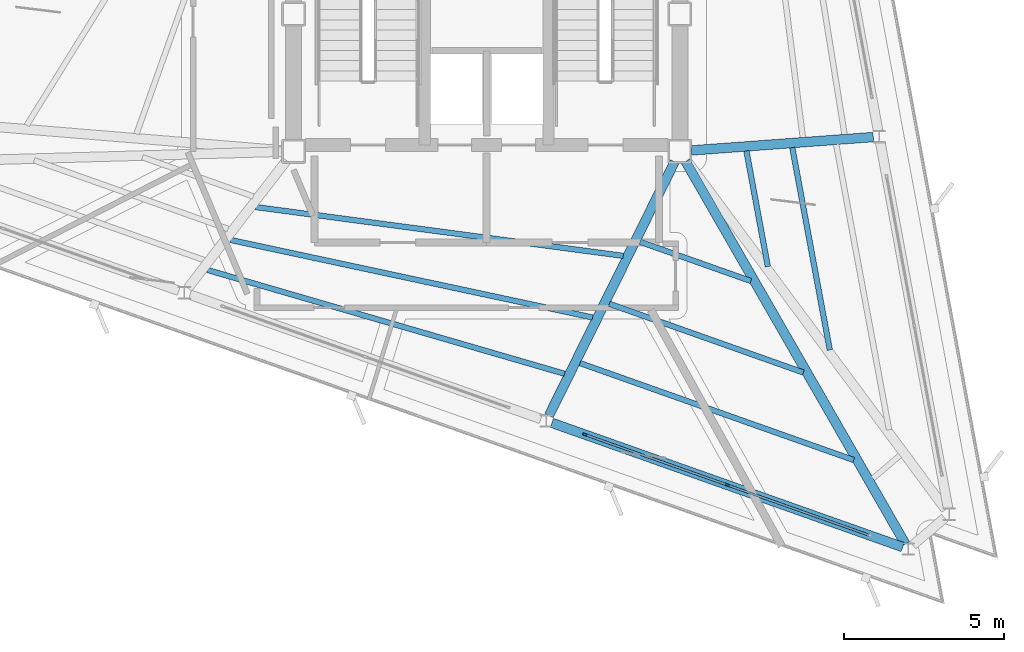
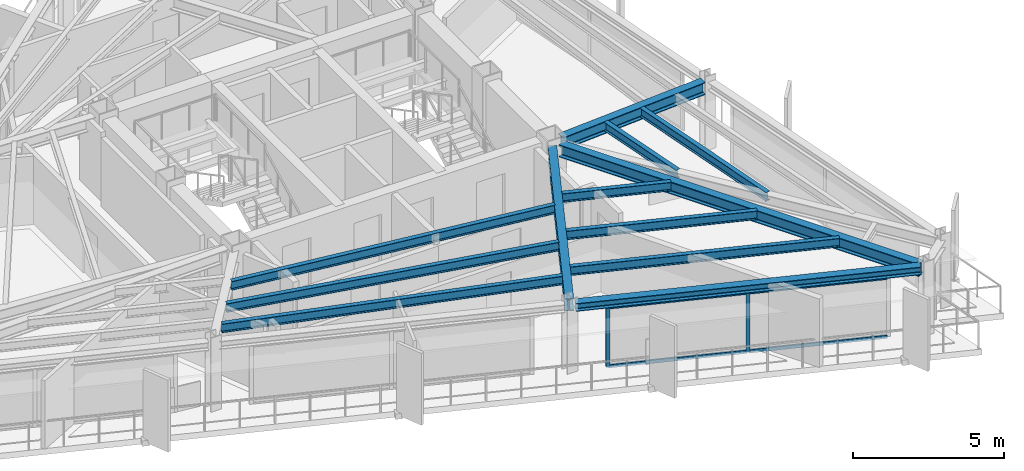
# One storey, part 3 of 14: 12 beams, 6 members, 1 element without a shape of its own.
"""IFC4 building model written with IfcOpenShell, lengths in metres."""

from ifc_helpers import new_model, si_unit, direction, frame, origin, origin_2d, place, context, subcontext, project, spatial, rectangle, i_section, extrude, material, layer, layer_set, material_profile, profile_set, type_object, element, aggregate, save


model = new_model("IFC4")

# Units and contexts
model_context = context("Model", 3, precision=1e-05, world=origin(), true_north=direction((0.0, 1.0)))
body_context = subcontext(model_context, "Body", "Model", "MODEL_VIEW")
ifc_project = project(units=[si_unit("LENGTHUNIT", "METRE"), si_unit("AREAUNIT", "SQUARE_METRE"), si_unit("VOLUMEUNIT", "CUBIC_METRE"), si_unit("PLANEANGLEUNIT", "RADIAN"), si_unit("MASSUNIT", "GRAM", prefix="KILO")], contexts=[model_context])

# Site, building, storey
site_placement = place(None, origin())
site = spatial("IfcSite", under=ifc_project, at=site_placement, CompositionType="ELEMENT")
building_placement = place(site_placement, origin())
building = spatial("IfcBuilding", under=site, at=building_placement, Name="Rocaltana Carrier Exchange", CompositionType="ELEMENT")
storey_placement = place(building_placement, frame((0.0, 0.0, 178.39990234375)))
storey = spatial("IfcBuildingStorey", under=building, at=storey_placement, Name="L56", CompositionType="ELEMENT", Elevation=178.39990234375)

# Curtain wall, members
ifc_material_1 = material(Name="Aluminium 6063-T6", Category="aluminium")
ifc_layer = layer(ifc_material_1, 0.135009765625)
ifc_layer_set = layer_set([ifc_layer], Name="Aluminium 6063-T6")
curtain_wall_type = type_object("IfcCurtainWallType", Name="Upper-Mid Acoustic Curtain Wall CW-04", PredefinedType="NOTDEFINED", material=ifc_layer_set)
curtain_wall_placement = place(storey_placement, origin())
curtain_wall = element("IfcCurtainWall", 1, at=curtain_wall_placement, inside=storey, type_object=curtain_wall_type, Name="L56 CW-04 Run CW-L56-F3S3", PredefinedType="NOTDEFINED")
ifc_material_2 = material(Name="Aluminium 6063-T6", Category="aluminium")
ifc_material_profile_1 = material_profile(ifc_material_2, rectangle(XDim=0.06494140625, YDim=0.135009765625, at=origin_2d()), Name="AL-65X135")
ifc_profile_set_1 = profile_set([ifc_material_profile_1], Name="Aluminium 6063-T6")
member_type_1 = type_object("IfcMemberType", Name="CW-04 Mullion AL-65X135", PredefinedType="MULLION", material=ifc_profile_set_1)
member_1_placement = place(storey_placement, frame((3.0771484375, -13.177001953125, 0.0), z_axis=(0.0, 0.0, 1.0), x_axis=(0.333798791936, 0.942644347833, 0.0)))
member_1 = element("IfcMember", 2, at=member_1_placement, type_object=member_type_1, Name="CW-04 mullion 1", PredefinedType="MULLION", context=body_context, shape_type="SweptSolid", body=[
    extrude(rectangle(XDim=0.06494140625, YDim=0.135009765625, at=origin_2d()), origin(), (0.0, 0.0, 1.0), 2.447998046875),
])
member_2_placement = place(storey_placement, frame((7.539794921875, -14.757080078125, 0.0), z_axis=(0.0, 0.0, 1.0), x_axis=(0.333798791936, 0.942644347833, 0.0)))
member_2 = element("IfcMember", 3, at=member_2_placement, type_object=member_type_1, Name="CW-04 mullion 2", PredefinedType="MULLION", context=body_context, shape_type="SweptSolid", body=[
    extrude(rectangle(XDim=0.06494140625, YDim=0.135009765625, at=origin_2d()), origin(), (0.0, 0.0, 1.0), 2.447998046875),
])
ifc_material_3 = material(Name="Aluminium 6063-T6", Category="aluminium")
ifc_material_profile_2 = material_profile(ifc_material_3, rectangle(XDim=0.06494140625, YDim=0.135009765625, at=origin_2d()), Name="AL-65X135")
ifc_profile_set_2 = profile_set([ifc_material_profile_2], Name="Aluminium 6063-T6")
member_type_2 = type_object("IfcMemberType", Name="CW-04 Transom AL-65X135", PredefinedType="USERDEFINED", material=ifc_profile_set_2)
member_3_placement = place(storey_placement, frame((3.107666015625, -13.187744140625, 0.03271484375), z_axis=(0.942642307572, -0.333804553558, 0.0), x_axis=(0.333804553558, 0.942642307572, 0.0)))
member_3 = element("IfcMember", 4, at=member_3_placement, type_object=member_type_2, Name="CW-04 transom 1.1", ObjectType="TRANSOM", PredefinedType="USERDEFINED", context=body_context, shape_type="SweptSolid", body=[
    extrude(rectangle(XDim=0.06494140625, YDim=0.135009765625, at=origin_2d()), origin(), (0.0, 0.0, 1.0), 4.669189453125),
])
member_4_placement = place(storey_placement, frame((3.107666015625, -13.187744140625, 2.41552734375), z_axis=(0.942642307572, -0.333804553558, 0.0), x_axis=(0.333804553558, 0.942642307572, 0.0)))
member_4 = element("IfcMember", 5, at=member_4_placement, type_object=member_type_2, Name="CW-04 transom 1.2", ObjectType="TRANSOM", PredefinedType="USERDEFINED", context=body_context, shape_type="SweptSolid", body=[
    extrude(rectangle(XDim=0.06494140625, YDim=0.135009765625, at=origin_2d()), origin(), (0.0, 0.0, 1.0), 4.669189453125),
])
member_5_placement = place(storey_placement, frame((7.5703125, -14.76806640625, 0.03271484375), z_axis=(0.942642307572, -0.333804553558, 0.0), x_axis=(0.333804553558, 0.942642307572, 0.0)))
member_5 = element("IfcMember", 6, at=member_5_placement, type_object=member_type_2, Name="CW-04 transom 2.1", ObjectType="TRANSOM", PredefinedType="USERDEFINED", context=body_context, shape_type="SweptSolid", body=[
    extrude(rectangle(XDim=0.06494140625, YDim=0.135009765625, at=origin_2d()), origin(), (0.0, 0.0, 1.0), 4.669189453125),
])
member_6_placement = place(storey_placement, frame((7.5703125, -14.76806640625, 2.41552734375), z_axis=(0.942642307572, -0.333804553558, 0.0), x_axis=(0.333804553558, 0.942642307572, 0.0)))
member_6 = element("IfcMember", 7, at=member_6_placement, type_object=member_type_2, Name="CW-04 transom 2.2", ObjectType="TRANSOM", PredefinedType="USERDEFINED", context=body_context, shape_type="SweptSolid", body=[
    extrude(rectangle(XDim=0.06494140625, YDim=0.135009765625, at=origin_2d()), origin(), (0.0, 0.0, 1.0), 4.669189453125),
])
aggregate(curtain_wall, [member_1, member_2, member_3, member_4, member_5, member_6])

# Beams
ifc_material_4 = material(Name="Steel S355", Category="steel")
ifc_material_profile_3 = material_profile(ifc_material_4, i_section(OverallWidth=0.172119140625, OverallDepth=0.35791015625, WebThickness=0.0078125, FlangeThickness=0.01318359375, FilletRadius=0.011962890625, at=origin_2d()), Name="W14X38")
ifc_profile_set_3 = profile_set([ifc_material_profile_3], Name="Steel S355")
beam_type_1 = type_object("IfcBeamType", Name="Floor Joist W14X38", PredefinedType="JOIST", material=ifc_profile_set_3)
beam_1_placement = place(storey_placement, frame((8.809814453125, -7.910888671875, 2.619140625), z_axis=(-0.182226934398, 0.98325649979, 0.0), x_axis=(-0.98325649979, -0.182226934398, 0.0)))
element("IfcBeam", 8, at=beam_1_placement, inside=storey, type_object=beam_type_1, Name="FJ-L56-01-1", PredefinedType="JOIST", context=body_context, shape_type="SweptSolid", body=[
    extrude(i_section(OverallWidth=0.172119140625, OverallDepth=0.35791015625, WebThickness=0.0078125, FlangeThickness=0.01318359375, FilletRadius=0.011962890625, at=origin_2d()), origin(), (0.0, 0.0, 1.0), 3.68310546875),
])
beam_2_placement = place(storey_placement, frame((10.751708984375, -10.5263671875, 2.619140625), z_axis=(-0.18226814906, 0.983248860583, 0.0), x_axis=(-0.983248860583, -0.18226814906, 0.0)))
element("IfcBeam", 9, at=beam_2_placement, inside=storey, type_object=beam_type_1, Name="FJ-L56-01-2", PredefinedType="JOIST", context=body_context, shape_type="SweptSolid", body=[
    extrude(i_section(OverallWidth=0.172119140625, OverallDepth=0.35791015625, WebThickness=0.0078125, FlangeThickness=0.01318359375, FilletRadius=0.011962890625, at=origin_2d()), origin(), (0.0, 0.0, 1.0), 6.450927734375),
])
beam_3_placement = place(storey_placement, frame((-7.242919921875, -6.04736328125, 2.619140625), z_axis=(0.991307721648, -0.131563676599, 0.0), x_axis=(0.131563676599, 0.991307721648, 0.0)))
element("IfcBeam", 10, at=beam_3_placement, inside=storey, type_object=beam_type_1, Name="FJ-L56-10-1", PredefinedType="JOIST", context=body_context, shape_type="SweptSolid", body=[
    extrude(i_section(OverallWidth=0.172119140625, OverallDepth=0.35791015625, WebThickness=0.0078125, FlangeThickness=0.01318359375, FilletRadius=0.011962890625, at=origin_2d()), origin(), (0.0, 0.0, 1.0), 11.620361328125),
])
beam_4_placement = place(storey_placement, frame((-8.03271484375, -7.077880859375, 2.619140625), z_axis=(0.977833801709, -0.209382559528, 0.0), x_axis=(0.209382559528, 0.977833801709, 0.0)))
element("IfcBeam", 11, at=beam_4_placement, inside=storey, type_object=beam_type_1, Name="FJ-L56-10-2", PredefinedType="JOIST", context=body_context, shape_type="SweptSolid", body=[
    extrude(i_section(OverallWidth=0.172119140625, OverallDepth=0.35791015625, WebThickness=0.0078125, FlangeThickness=0.01318359375, FilletRadius=0.011962890625, at=origin_2d()), origin(), (0.0, 0.0, 1.0), 11.6064453125),
])
beam_5_placement = place(storey_placement, frame((-8.75439453125, -8.018798828125, 2.619140625), z_axis=(0.960273483181, -0.279060634091, 0.0), x_axis=(0.279060634091, 0.960273483181, 0.0)))
element("IfcBeam", 12, at=beam_5_placement, inside=storey, type_object=beam_type_1, Name="FJ-L56-10-3", PredefinedType="JOIST", context=body_context, shape_type="SweptSolid", body=[
    extrude(i_section(OverallWidth=0.172119140625, OverallDepth=0.35791015625, WebThickness=0.0078125, FlangeThickness=0.01318359375, FilletRadius=0.011962890625, at=origin_2d()), origin(), (0.0, 0.0, 1.0), 11.658447265625),
])
beam_6_placement = place(storey_placement, frame((4.8056640625, -7.13623046875, 2.619140625), z_axis=(0.942660683234, -0.333752657344, 0.0), x_axis=(0.333752657344, 0.942660683234, 0.0)))
element("IfcBeam", 13, at=beam_6_placement, inside=storey, type_object=beam_type_1, Name="FJ-L56-11-1", PredefinedType="JOIST", context=body_context, shape_type="SweptSolid", body=[
    extrude(i_section(OverallWidth=0.172119140625, OverallDepth=0.35791015625, WebThickness=0.0078125, FlangeThickness=0.01318359375, FilletRadius=0.011962890625, at=origin_2d()), origin(), (0.0, 0.0, 1.0), 3.68310546875),
])
beam_7_placement = place(storey_placement, frame((3.843994140625, -9.079345703125, 2.619140625), z_axis=(0.942637646352, -0.333817716246, 0.0), x_axis=(0.333817716246, 0.942637646352, 0.0)))
element("IfcBeam", 14, at=beam_7_placement, inside=storey, type_object=beam_type_1, Name="FJ-L56-11-2", PredefinedType="JOIST", context=body_context, shape_type="SweptSolid", body=[
    extrude(i_section(OverallWidth=0.172119140625, OverallDepth=0.35791015625, WebThickness=0.0078125, FlangeThickness=0.01318359375, FilletRadius=0.011962890625, at=origin_2d()), origin(), (0.0, 0.0, 1.0), 6.45068359375),
])
beam_8_placement = place(storey_placement, frame((2.923828125, -10.93798828125, 2.619140625), z_axis=(0.942637076776, -0.333819324616, 0.0), x_axis=(0.333819324616, 0.942637076776, 0.0)))
element("IfcBeam", 15, at=beam_8_placement, inside=storey, type_object=beam_type_1, Name="FJ-L56-11-3", PredefinedType="JOIST", context=body_context, shape_type="SweptSolid", body=[
    extrude(i_section(OverallWidth=0.172119140625, OverallDepth=0.35791015625, WebThickness=0.0078125, FlangeThickness=0.01318359375, FilletRadius=0.011962890625, at=origin_2d()), origin(), (0.0, 0.0, 1.0), 9.09814453125),
])
ifc_material_5 = material(Name="Steel S355", Category="steel")
ifc_material_profile_4 = material_profile(ifc_material_5, i_section(OverallWidth=0.300048828125, OverallDepth=0.320068359375, WebThickness=0.011474609375, FlangeThickness=0.0205078125, FilletRadius=0.027099609375, at=origin_2d()), Name="HEB320")
ifc_profile_set_4 = profile_set([ifc_material_profile_4], Name="Steel S355")
beam_type_2 = type_object("IfcBeamType", Name="Spandrel Edge Beam HEB320", PredefinedType="SPANDREL", material=ifc_profile_set_4)
beam_9_placement = place(storey_placement, frame((2.043212890625, -12.810791015625, 2.63818359375), z_axis=(0.942643145042, -0.333802188587, 0.0), x_axis=(0.333802188587, 0.942643145042, 0.0)))
element("IfcBeam", 16, at=beam_9_placement, inside=storey, type_object=beam_type_2, Name="SP-L56-11", PredefinedType="SPANDREL", context=body_context, shape_type="SweptSolid", body=[
    extrude(i_section(OverallWidth=0.300048828125, OverallDepth=0.320068359375, WebThickness=0.011474609375, FlangeThickness=0.0205078125, FilletRadius=0.027099609375, at=origin_2d()), origin(), (0.0, 0.0, 1.0), 11.662109375),
])
ifc_material_6 = material(Name="Steel S355", Category="steel")
ifc_material_profile_5 = material_profile(ifc_material_6, i_section(OverallWidth=0.300048828125, OverallDepth=0.5, WebThickness=0.014404296875, FlangeThickness=0.028076171875, FilletRadius=0.027099609375, at=origin_2d()), Name="HEB500")
ifc_profile_set_5 = profile_set([ifc_material_profile_5], Name="Steel S355")
beam_type_3 = type_object("IfcBeamType", Name="Upper Radial Girder HEB500", PredefinedType="BEAM", material=ifc_profile_set_5)
beam_10_placement = place(storey_placement, frame((6.416015625, -4.27294921875, 2.548095703125), z_axis=(0.997295894511, 0.07349080753, 0.0), x_axis=(-0.07349080753, 0.997295894511, 0.0)))
element("IfcBeam", 17, at=beam_10_placement, inside=storey, type_object=beam_type_3, Name="RG-L56-02", PredefinedType="BEAM", context=body_context, shape_type="SweptSolid", body=[
    extrude(i_section(OverallWidth=0.300048828125, OverallDepth=0.5, WebThickness=0.014404296875, FlangeThickness=0.028076171875, FilletRadius=0.027099609375, at=origin_2d()), origin(), (0.0, 0.0, 1.0), 5.7138671875),
])
beam_11_placement = place(storey_placement, frame((5.88720703125, -4.62890625, 2.548095703125), z_axis=(-0.443600626988, -0.896224572156, 0.0), x_axis=(0.896224572156, -0.443600626988, 0.0)))
element("IfcBeam", 18, at=beam_11_placement, inside=storey, type_object=beam_type_3, Name="RG-L56-11", PredefinedType="BEAM", context=body_context, shape_type="SweptSolid", body=[
    extrude(i_section(OverallWidth=0.300048828125, OverallDepth=0.5, WebThickness=0.014404296875, FlangeThickness=0.028076171875, FilletRadius=0.027099609375, at=origin_2d()), origin(), (0.0, 0.0, 1.0), 8.87451171875),
])
beam_12_placement = place(storey_placement, frame((6.23291015625, -4.6181640625, 2.548095703125), z_axis=(0.498128981012, -0.867102945604, 0.0), x_axis=(0.867102945604, 0.498128981012, 0.0)))
element("IfcBeam", 19, at=beam_12_placement, inside=storey, type_object=beam_type_3, Name="RG-L56-12", PredefinedType="BEAM", context=body_context, shape_type="SweptSolid", body=[
    extrude(i_section(OverallWidth=0.300048828125, OverallDepth=0.5, WebThickness=0.014404296875, FlangeThickness=0.028076171875, FilletRadius=0.027099609375, at=origin_2d()), origin(), (0.0, 0.0, 1.0), 13.82373046875),
])

save(model, "model.ifc")
